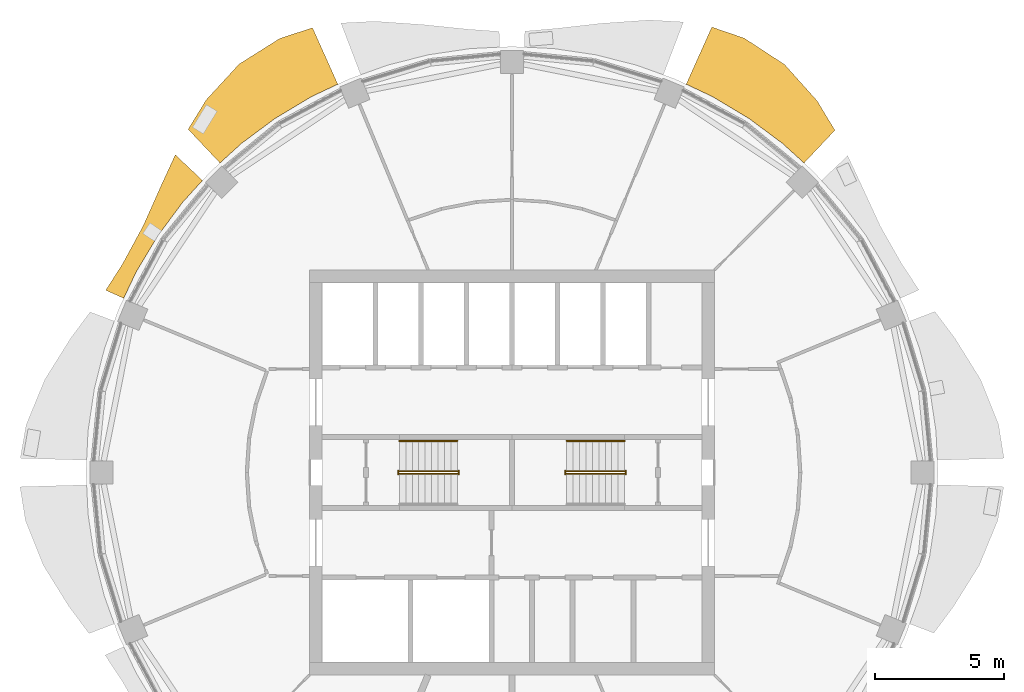
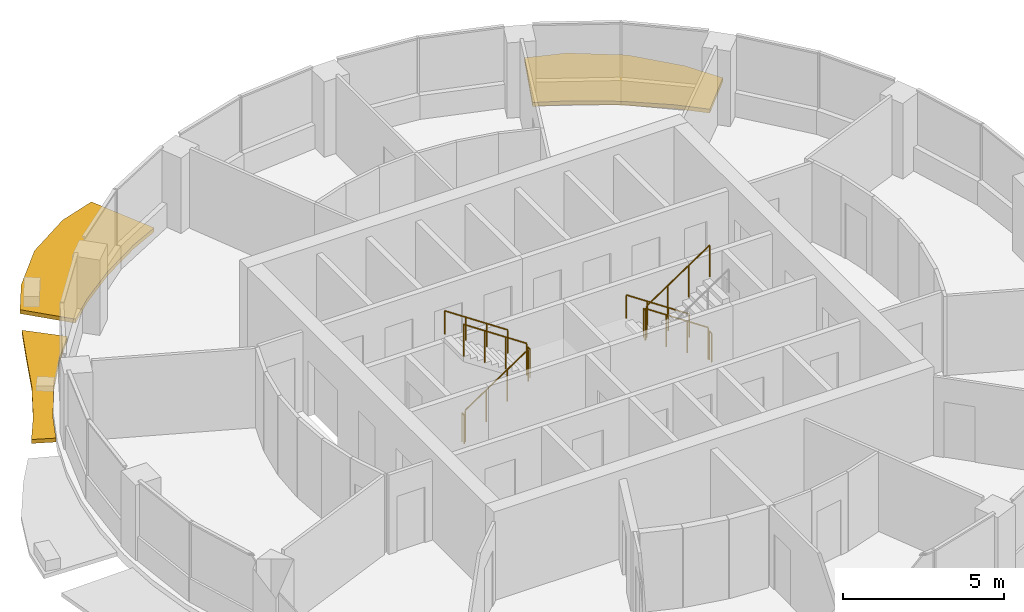
# One storey, part 13 of 15: 10 railings, 3 shading devices.
"""IFC4 building model written with IfcOpenShell, lengths in metres."""

from ifc_helpers import new_model, si_unit, direction, frame, origin, origin_2d, place, context, subcontext, project, spatial, polyline, circle, outline, extrude, material, type_object, element, save


model = new_model("IFC4")

# Units and contexts
model_context = context("Model", 3, precision=1e-05, world=origin(), true_north=direction((0.0, 1.0)))
body_context = subcontext(model_context, "Body", "Model", "MODEL_VIEW")
ifc_project = project(units=[si_unit("LENGTHUNIT", "METRE"), si_unit("AREAUNIT", "SQUARE_METRE"), si_unit("VOLUMEUNIT", "CUBIC_METRE"), si_unit("PLANEANGLEUNIT", "RADIAN"), si_unit("MASSUNIT", "GRAM", prefix="KILO")], contexts=[model_context])

# Site, building, storey
site_placement = place(None, origin())
site = spatial("IfcSite", under=ifc_project, at=site_placement, CompositionType="ELEMENT")
building_placement = place(site_placement, origin())
building = spatial("IfcBuilding", under=site, at=building_placement, Name="Polderwave Tower", CompositionType="ELEMENT")
storey_placement = place(building_placement, frame((0.0, 0.0, 211.10009765625)))
storey = spatial("IfcBuildingStorey", under=building, at=storey_placement, Name="L57", CompositionType="ELEMENT", Elevation=211.10009765625)

# Railings
ifc_material_1 = material(Name="Stainless steel", Category="steel")
railing_type_1 = type_object("IfcRailingType", Name="Stair guard 1100", PredefinedType="GUARDRAIL", material=ifc_material_1)
railing_1_placement = place(storey_placement, frame((-4.3740234375, -0.051025390625, 0.04736328125)))
element("IfcRailing", 1, at=railing_1_placement, inside=storey, type_object=railing_type_1, Name="L57 ST-A stair guard 1", PredefinedType="GUARDRAIL", context=body_context, shape_type="SweptSolid", body=[
    extrude(circle(Radius=0.02392578125, at=origin_2d()), frame((0.0, 0.0, 1.1962890625), z_axis=(0.830799990696, 0.0, 0.556571087517), x_axis=(0.0, 1.0, 0.0)), (0.0, 0.0, 1.0), 2.708251953125),
    extrude(circle(Radius=0.02392578125, at=origin_2d()), origin(), (0.0, 0.0, 1.0), 1.172119140625),
    extrude(circle(Radius=0.02392578125, at=origin_2d()), frame((0.75, 0.0, 0.50244140625)), (0.0, 0.0, 1.0), 1.172119140625),
    extrude(circle(Radius=0.02392578125, at=origin_2d()), frame((1.5, 0.0, 1.0048828125)), (0.0, 0.0, 1.0), 1.172119140625),
    extrude(circle(Radius=0.02392578125, at=origin_2d()), frame((2.25, 0.0, 1.50732421875)), (0.0, 0.0, 1.0), 1.172119140625),
])
railing_2_placement = place(storey_placement, frame((-2.073974609375, -0.074951171875, 1.6748046875)))
element("IfcRailing", 2, at=railing_2_placement, inside=storey, type_object=railing_type_1, Name="L57 ST-A stair guard 2", PredefinedType="GUARDRAIL", context=body_context, shape_type="SweptSolid", body=[
    extrude(circle(Radius=0.02392578125, at=origin_2d()), frame((0.0, 0.0, 1.076171875), z_axis=(0.0, 1.0, 0.0), x_axis=(-1.0, 0.0, 0.0)), (0.0, 0.0, 1.0), 0.14990234375),
    extrude(circle(Radius=0.02099609375, at=origin_2d()), origin(), (0.0, 0.0, 1.0), 1.052001953125),
    extrude(circle(Radius=0.02099609375, at=origin_2d()), frame((0.0, 0.14990234375, 0.0)), (0.0, 0.0, 1.0), 1.052001953125),
])
railing_3_placement = place(storey_placement, frame((-2.1240234375, 0.051025390625, 1.72216796875)))
element("IfcRailing", 3, at=railing_3_placement, inside=storey, type_object=railing_type_1, Name="L57 ST-A stair guard 3", PredefinedType="GUARDRAIL", context=body_context, shape_type="SweptSolid", body=[
    extrude(circle(Radius=0.02392578125, at=origin_2d()), frame((0.0, 0.0, 1.1962890625), z_axis=(-0.830758306289, 0.0, 0.556633305266), x_axis=(0.0, -1.0, 0.0)), (0.0, 0.0, 1.0), 2.708251953125),
    extrude(circle(Radius=0.02392578125, at=origin_2d()), origin(), (0.0, 0.0, 1.0), 1.172119140625),
    extrude(circle(Radius=0.02392578125, at=origin_2d()), frame((-0.75, 0.0, 0.50244140625)), (0.0, 0.0, 1.0), 1.172119140625),
    extrude(circle(Radius=0.02392578125, at=origin_2d()), frame((-1.5, 0.0, 1.005126953125)), (0.0, 0.0, 1.0), 1.172119140625),
    extrude(circle(Radius=0.02392578125, at=origin_2d()), frame((-2.25, 0.0, 1.507568359375)), (0.0, 0.0, 1.0), 1.172119140625),
])
railing_4_placement = place(storey_placement, frame((-4.424072265625, -0.074951171875, 0.0)))
element("IfcRailing", 4, at=railing_4_placement, inside=storey, type_object=railing_type_1, Name="L57 ST-A stair guard 4", PredefinedType="GUARDRAIL", context=body_context, shape_type="SweptSolid", body=[
    extrude(circle(Radius=0.02392578125, at=origin_2d()), frame((0.0, 0.0, 1.076171875), z_axis=(0.0, 1.0, 0.0), x_axis=(-1.0, 0.0, 0.0)), (0.0, 0.0, 1.0), 0.14990234375),
    extrude(circle(Radius=0.02099609375, at=origin_2d()), origin(), (0.0, 0.0, 1.0), 1.052001953125),
    extrude(circle(Radius=0.02099609375, at=origin_2d()), frame((0.0, 0.14990234375, 0.0)), (0.0, 0.0, 1.0), 1.052001953125),
])
railing_5_placement = place(storey_placement, frame((4.3740234375, 0.051025390625, 0.04736328125)))
element("IfcRailing", 5, at=railing_5_placement, inside=storey, type_object=railing_type_1, Name="L57 ST-B stair guard 1", PredefinedType="GUARDRAIL", context=body_context, shape_type="SweptSolid", body=[
    extrude(circle(Radius=0.02392578125, at=origin_2d()), frame((0.0, 0.0, 1.1962890625), z_axis=(-0.830799990696, 0.0, 0.556571087517), x_axis=(0.0, -1.0, 0.0)), (0.0, 0.0, 1.0), 2.708251953125),
    extrude(circle(Radius=0.02392578125, at=origin_2d()), origin(), (0.0, 0.0, 1.0), 1.172119140625),
    extrude(circle(Radius=0.02392578125, at=origin_2d()), frame((-0.75, 0.0, 0.50244140625)), (0.0, 0.0, 1.0), 1.172119140625),
    extrude(circle(Radius=0.02392578125, at=origin_2d()), frame((-1.5, 0.0, 1.0048828125)), (0.0, 0.0, 1.0), 1.172119140625),
    extrude(circle(Radius=0.02392578125, at=origin_2d()), frame((-2.25, 0.0, 1.50732421875)), (0.0, 0.0, 1.0), 1.172119140625),
])
railing_6_placement = place(storey_placement, frame((2.073974609375, 0.074951171875, 1.6748046875)))
element("IfcRailing", 6, at=railing_6_placement, inside=storey, type_object=railing_type_1, Name="L57 ST-B stair guard 2", PredefinedType="GUARDRAIL", context=body_context, shape_type="SweptSolid", body=[
    extrude(circle(Radius=0.02392578125, at=origin_2d()), frame((0.0, 0.0, 1.076171875), z_axis=(0.0, -1.0, 0.0), x_axis=(1.0, 0.0, 0.0)), (0.0, 0.0, 1.0), 0.14990234375),
    extrude(circle(Radius=0.02099609375, at=origin_2d()), origin(), (0.0, 0.0, 1.0), 1.052001953125),
    extrude(circle(Radius=0.02099609375, at=origin_2d()), frame((0.0, -0.14990234375, 0.0)), (0.0, 0.0, 1.0), 1.052001953125),
])
railing_7_placement = place(storey_placement, frame((2.1240234375, -0.051025390625, 1.72216796875)))
element("IfcRailing", 7, at=railing_7_placement, inside=storey, type_object=railing_type_1, Name="L57 ST-B stair guard 3", PredefinedType="GUARDRAIL", context=body_context, shape_type="SweptSolid", body=[
    extrude(circle(Radius=0.02392578125, at=origin_2d()), frame((0.0, 0.0, 1.1962890625), z_axis=(0.830758306289, 0.0, 0.556633305266), x_axis=(0.0, 1.0, 0.0)), (0.0, 0.0, 1.0), 2.708251953125),
    extrude(circle(Radius=0.02392578125, at=origin_2d()), origin(), (0.0, 0.0, 1.0), 1.172119140625),
    extrude(circle(Radius=0.02392578125, at=origin_2d()), frame((0.75, 0.0, 0.50244140625)), (0.0, 0.0, 1.0), 1.172119140625),
    extrude(circle(Radius=0.02392578125, at=origin_2d()), frame((1.5, 0.0, 1.005126953125)), (0.0, 0.0, 1.0), 1.172119140625),
    extrude(circle(Radius=0.02392578125, at=origin_2d()), frame((2.25, 0.0, 1.507568359375)), (0.0, 0.0, 1.0), 1.172119140625),
])
railing_8_placement = place(storey_placement, frame((4.424072265625, 0.074951171875, 0.0)))
element("IfcRailing", 8, at=railing_8_placement, inside=storey, type_object=railing_type_1, Name="L57 ST-B stair guard 4", PredefinedType="GUARDRAIL", context=body_context, shape_type="SweptSolid", body=[
    extrude(circle(Radius=0.02392578125, at=origin_2d()), frame((0.0, 0.0, 1.076171875), z_axis=(0.0, -1.0, 0.0), x_axis=(1.0, 0.0, 0.0)), (0.0, 0.0, 1.0), 0.14990234375),
    extrude(circle(Radius=0.02099609375, at=origin_2d()), origin(), (0.0, 0.0, 1.0), 1.052001953125),
    extrude(circle(Radius=0.02099609375, at=origin_2d()), frame((0.0, -0.14990234375, 0.0)), (0.0, 0.0, 1.0), 1.052001953125),
])
railing_type_2 = type_object("IfcRailingType", Name="Stair handrail 900", PredefinedType="HANDRAIL", material=ifc_material_1)
railing_9_placement = place(storey_placement, frame((-2.1240234375, 1.22509765625, 1.84228515625)))
element("IfcRailing", 9, at=railing_9_placement, inside=storey, type_object=railing_type_2, Name="L57 ST-A stair handrail 2", PredefinedType="HANDRAIL", context=body_context, shape_type="SweptSolid", body=[
    extrude(circle(Radius=0.02392578125, at=origin_2d()), frame((0.0, 0.0, 0.8759765625), z_axis=(-0.830758306289, 0.0, 0.556633305266), x_axis=(0.0, -1.0, 0.0)), (0.0, 0.0, 1.0), 2.708251953125),
    extrude(circle(Radius=0.02099609375, at=origin_2d()), origin(), (0.0, 0.0, 1.0), 0.851806640625),
    extrude(circle(Radius=0.02099609375, at=origin_2d()), frame((-0.75, 0.0, 0.50244140625)), (0.0, 0.0, 1.0), 0.851806640625),
    extrude(circle(Radius=0.02099609375, at=origin_2d()), frame((-1.5, 0.0, 1.005126953125)), (0.0, 0.0, 1.0), 0.851806640625),
    extrude(circle(Radius=0.02099609375, at=origin_2d()), frame((-2.25, 0.0, 1.507568359375)), (0.0, 0.0, 1.0), 0.851806640625),
])
railing_10_placement = place(storey_placement, frame((4.3740234375, 1.22509765625, 0.16748046875)))
element("IfcRailing", 10, at=railing_10_placement, inside=storey, type_object=railing_type_2, Name="L57 ST-B stair handrail 1", PredefinedType="HANDRAIL", context=body_context, shape_type="SweptSolid", body=[
    extrude(circle(Radius=0.02392578125, at=origin_2d()), frame((0.0, 0.0, 0.8759765625), z_axis=(-0.830799990696, 0.0, 0.556571087517), x_axis=(0.0, -1.0, 0.0)), (0.0, 0.0, 1.0), 2.708251953125),
    extrude(circle(Radius=0.02099609375, at=origin_2d()), origin(), (0.0, 0.0, 1.0), 0.851806640625),
    extrude(circle(Radius=0.02099609375, at=origin_2d()), frame((-0.75, 0.0, 0.50244140625)), (0.0, 0.0, 1.0), 0.851806640625),
    extrude(circle(Radius=0.02099609375, at=origin_2d()), frame((-1.5, 0.0, 1.0048828125)), (0.0, 0.0, 1.0), 0.851806640625),
    extrude(circle(Radius=0.02099609375, at=origin_2d()), frame((-2.25, 0.0, 1.50732421875)), (0.0, 0.0, 1.0), 0.851806640625),
])

# Shading devices
ifc_material_2 = material(Name="Terracotta", Category="masonry")
shading_device_type = type_object("IfcShadingDeviceType", Name="Terracotta sunshade band", PredefinedType="USERDEFINED", material=ifc_material_2)
shading_device_1_placement = place(storey_placement, frame((0.0, 0.0, -0.35009765625)))
element("IfcShadingDevice", 11, at=shading_device_1_placement, inside=storey, type_object=shading_device_type, Name="Sunshade band L57 3", ObjectType="SUNSHADE", PredefinedType="USERDEFINED", context=body_context, shape_type="SweptSolid", body=[
    extrude(outline(polyline([(11.3466796875, 12.025146484375), (10.499267578125, 12.793212890625), (9.194580078125, 13.7607421875), (7.801513671875, 14.595703125), (6.767578125, 15.084716796875), (7.763916015625, 17.3056640625), (9.0205078125, 16.876220703125), (10.591064453125, 15.8505859375), (11.852294921875, 14.442138671875), (12.54541015625, 13.295654296875), (11.3466796875, 12.025146484375)])), origin(), (0.0, 0.0, 1.0), 0.14990234375),
])
shading_device_2_placement = place(storey_placement, frame((0.0, 0.0, -0.35009765625)))
element("IfcShadingDevice", 12, at=shading_device_2_placement, inside=storey, type_object=shading_device_type, Name="Sunshade band L57 6", ObjectType="SUNSHADE", PredefinedType="USERDEFINED", context=body_context, shape_type="SweptSolid", body=[
    extrude(outline(polyline([(-6.767578125, 15.084716796875), (-7.801513671875, 14.595703125), (-9.194580078125, 13.7607421875), (-10.499267578125, 12.793212890625), (-11.3466796875, 12.025146484375), (-12.581787109375, 13.334228515625), (-11.880859375, 14.476806640625), (-10.602294921875, 15.86767578125), (-9.015380859375, 16.866943359375), (-7.751220703125, 17.27734375), (-6.767578125, 15.084716796875)])), origin(), (0.0, 0.0, 1.0), 0.14990234375),
])
shading_device_3_placement = place(storey_placement, frame((0.0, 0.0, -0.35009765625)))
element("IfcShadingDevice", 13, at=shading_device_3_placement, inside=storey, type_object=shading_device_type, Name="Sunshade band L57 7", ObjectType="SUNSHADE", PredefinedType="USERDEFINED", context=body_context, shape_type="SweptSolid", body=[
    extrude(outline(polyline([(-12.025146484375, 11.3466796875), (-12.793212890625, 10.499267578125), (-13.7607421875, 9.194580078125), (-14.595703125, 7.801513671875), (-15.084716796875, 6.767578125), (-15.78369140625, 7.081298828125), (-15.1376953125, 8.09130859375), (-14.331787109375, 9.576171875), (-13.6181640625, 11.17626953125), (-13.082275390625, 12.343994140625), (-12.025146484375, 11.3466796875)])), origin(), (0.0, 0.0, 1.0), 0.14990234375),
])

save(model, "model.ifc")
